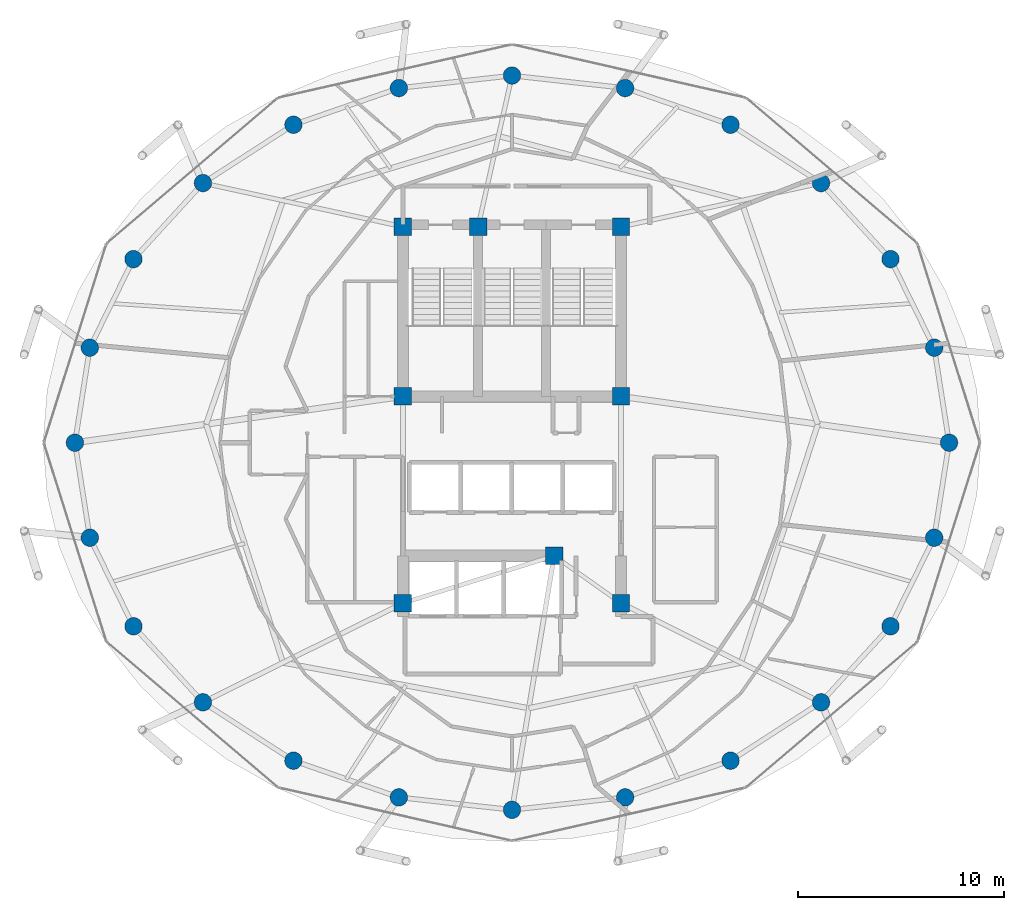
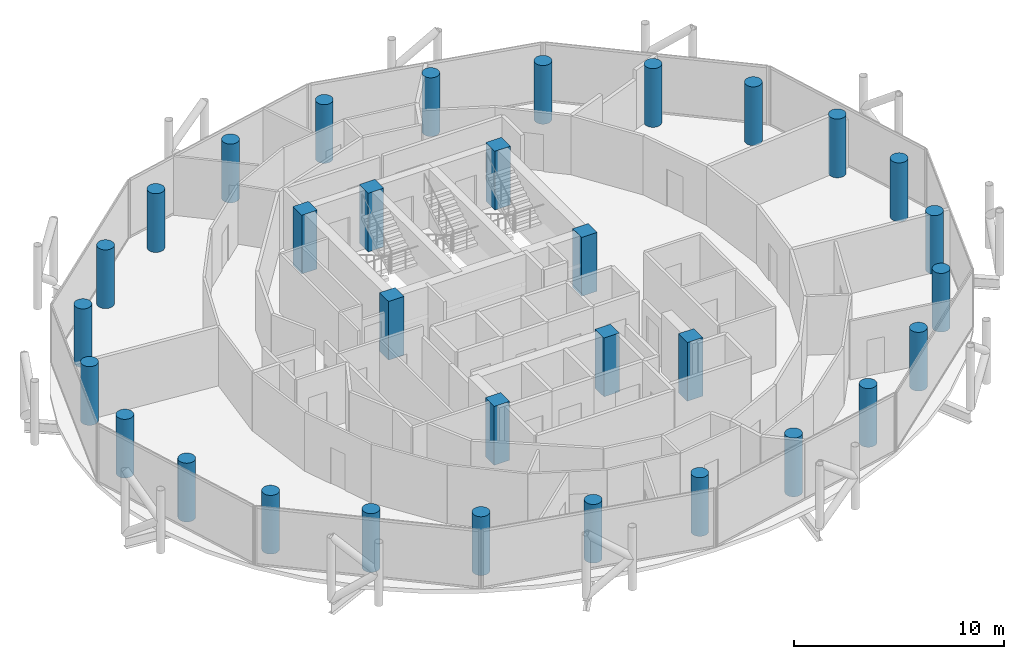
# One storey, part 1 of 27: 32 columns.
"""IFC4 building model written with IfcOpenShell, lengths in metres."""

from ifc_helpers import new_model, si_unit, direction, frame, origin, origin_2d, place, context, subcontext, project, spatial, rectangle, circle, extrude, material, material_profile, profile_set, type_object, element, save


model = new_model("IFC4")

# Units and contexts
model_context = context("Model", 3, precision=1e-05, world=origin(), true_north=direction((0.0, 1.0)))
body_context = subcontext(model_context, "Body", "Model", "MODEL_VIEW")
ifc_project = project(units=[si_unit("LENGTHUNIT", "METRE"), si_unit("AREAUNIT", "SQUARE_METRE"), si_unit("VOLUMEUNIT", "CUBIC_METRE"), si_unit("PLANEANGLEUNIT", "RADIAN"), si_unit("MASSUNIT", "GRAM", prefix="KILO")], contexts=[model_context])

# Site, building, storey
site_placement = place(None, origin())
site = spatial("IfcSite", under=ifc_project, at=site_placement, CompositionType="ELEMENT")
building_placement = place(site_placement, origin())
building = spatial("IfcBuilding", under=site, at=building_placement, Name="Nuhasar Tower", CompositionType="ELEMENT")
storey_placement = place(building_placement, frame((0.0, 0.0, 248.300048828125)))
storey = spatial("IfcBuildingStorey", under=building, at=storey_placement, Name="L61", CompositionType="ELEMENT", Elevation=248.300048828125)

# Columns
ifc_material = material(Name="Concrete C55/67", Category="concrete")
ifc_material_profile_1 = material_profile(ifc_material, circle(Radius=0.425048828125, at=origin_2d()), Name="CFT850")
ifc_profile_set_1 = profile_set([ifc_material_profile_1], Name="Concrete C55/67")
column_type_1 = type_object("IfcColumnType", Name="COL-CFT-850", PredefinedType="COLUMN", material=ifc_profile_set_1)
for number, where, z_axis, x_axis, name in (
    (1, (60.25, 26.800048828125, 0.0), (0.0, 0.0, 1.0), (1.0, 0.0, 0.0), "L61 Perimeter Composite Column TC-01"),
    (2, (59.52587890625, 31.419921875, 0.0), (0.0, 0.0, 1.0), (1.0, 0.0, 0.0), "L61 Perimeter Composite Column TC-02"),
    (3, (57.403076171875, 35.72509765625, 0.0), (0.0, 0.0, 1.0), (1.0, 0.0, 0.0), "L61 Perimeter Composite Column TC-03"),
    (4, (54.02587890625, 39.422119140625, 0.0), (0.0, 0.0, 1.0), (1.0, 0.0, 0.0), "L61 Perimeter Composite Column TC-04"),
    (5, (49.625, 42.259033203125, 0.0), (0.0, 0.0, 1.0), (1.0, 0.0, 0.0), "L61 Perimeter Composite Column TC-05"),
    (6, (44.5, 44.0419921875, 0.0), (0.0, 0.0, 1.0), (1.0, 0.0, 0.0), "L61 Perimeter Composite Column TC-06"),
    (7, (39.0, 44.64990234375, 0.0), (0.0, 0.0, 1.0), (1.0, 0.0, 0.0), "L61 Perimeter Composite Column TC-07"),
    (8, (33.5, 44.0419921875, 0.0), (0.0, 0.0, 1.0), (1.0, 0.0, 0.0), "L61 Perimeter Composite Column TC-08"),
    (9, (28.375, 42.259033203125, 0.0), (0.0, 0.0, 1.0), (1.0, 0.0, 0.0), "L61 Perimeter Composite Column TC-09"),
    (10, (23.97412109375, 39.422119140625, 0.0), (0.0, 0.0, 1.0), (1.0, 0.0, 0.0), "L61 Perimeter Composite Column TC-10"),
    (11, (20.596923828125, 35.72509765625, 0.0), (0.0, 0.0, 1.0), (1.0, 0.0, 0.0), "L61 Perimeter Composite Column TC-11"),
    (12, (18.47412109375, 31.419921875, 0.0), (0.0, 0.0, 1.0), (1.0, 0.0, 0.0), "L61 Perimeter Composite Column TC-12"),
    (13, (17.75, 26.800048828125, 0.0), (0.0, 0.0, 1.0), (1.0, 0.0, 0.0), "L61 Perimeter Composite Column TC-13"),
    (14, (18.47412109375, 22.179931640625, 0.0), (0.0, 0.0, 1.0), (1.0, 0.0, 0.0), "L61 Perimeter Composite Column TC-14"),
    (15, (20.596923828125, 17.875, 0.0), (0.0, 0.0, 1.0), (1.0, 0.0, 0.0), "L61 Perimeter Composite Column TC-15"),
    (16, (23.97412109375, 14.177978515625, 0.0), (0.0, 0.0, 1.0), (1.0, 0.0, 0.0), "L61 Perimeter Composite Column TC-16"),
    (17, (28.375, 11.341064453125, 0.0), (0.0, 0.0, 1.0), (1.0, 0.0, 0.0), "L61 Perimeter Composite Column TC-17"),
    (18, (33.5, 9.55810546875, 0.0), (0.0, 0.0, 1.0), (1.0, 0.0, 0.0), "L61 Perimeter Composite Column TC-18"),
    (19, (39.0, 8.949951171875, 0.0), (0.0, 0.0, 1.0), (1.0, 0.0, 0.0), "L61 Perimeter Composite Column TC-19"),
    (20, (44.5, 9.55810546875, 0.0), (0.0, 0.0, 1.0), (1.0, 0.0, 0.0), "L61 Perimeter Composite Column TC-20"),
    (21, (49.625, 11.341064453125, 0.0), (0.0, 0.0, 1.0), (1.0, 0.0, 0.0), "L61 Perimeter Composite Column TC-21"),
    (22, (54.02587890625, 14.177978515625, 0.0), (0.0, 0.0, 1.0), (1.0, 0.0, 0.0), "L61 Perimeter Composite Column TC-22"),
    (23, (57.403076171875, 17.875, 0.0), (0.0, 0.0, 1.0), (1.0, 0.0, 0.0), "L61 Perimeter Composite Column TC-23"),
    (24, (59.52587890625, 22.179931640625, 0.0), (0.0, 0.0, 1.0), (1.0, 0.0, 0.0), "L61 Perimeter Composite Column TC-24"),
):
    element("IfcColumn", number, at=place(storey_placement, frame(where, z_axis=z_axis, x_axis=x_axis)), inside=storey, type_object=column_type_1, Name=name, PredefinedType="COLUMN", context=body_context, shape_type="SweptSolid", body=[
        extrude(circle(Radius=0.425048828125, at=origin_2d()), origin(), (0.0, 0.0, 1.0), 3.409912109375),
    ])
ifc_material_profile_2 = material_profile(ifc_material, rectangle(XDim=0.85009765625, YDim=0.85009765625, at=origin_2d()), Name="RC850X850")
ifc_profile_set_2 = profile_set([ifc_material_profile_2], Name="Concrete C55/67")
column_type_2 = type_object("IfcColumnType", Name="PIL-RC-850", PredefinedType="PILASTER", material=ifc_profile_set_2)
for number, where, z_axis, x_axis, name in (
    (25, (33.699951171875, 19.0, 0.0), (0.0, 0.0, 1.0), (1.0, 0.0, 0.0), "L61 Core Boundary Pilaster CC-01"),
    (26, (41.050048828125, 21.300048828125, 0.0), (0.0, 0.0, 1.0), (1.0, 0.0, 0.0), "L61 Core Boundary Pilaster CC-02"),
    (27, (44.300048828125, 19.0, 0.0), (0.0, 0.0, 1.0), (1.0, 0.0, 0.0), "L61 Core Boundary Pilaster CC-03"),
    (28, (44.300048828125, 29.050048828125, 0.0), (0.0, 0.0, 1.0), (1.0, 0.0, 0.0), "L61 Core Boundary Pilaster CC-04"),
    (29, (44.300048828125, 37.300048828125, 0.0), (0.0, 0.0, 1.0), (1.0, 0.0, 0.0), "L61 Core Boundary Pilaster CC-05"),
    (30, (37.35009765625, 37.300048828125, 0.0), (0.0, 0.0, 1.0), (1.0, 0.0, 0.0), "L61 Core Boundary Pilaster CC-06"),
    (31, (33.699951171875, 37.300048828125, 0.0), (0.0, 0.0, 1.0), (1.0, 0.0, 0.0), "L61 Core Boundary Pilaster CC-07"),
    (32, (33.699951171875, 29.050048828125, 0.0), (0.0, 0.0, 1.0), (1.0, 0.0, 0.0), "L61 Core Boundary Pilaster CC-08"),
):
    element("IfcColumn", number, at=place(storey_placement, frame(where, z_axis=z_axis, x_axis=x_axis)), inside=storey, type_object=column_type_2, Name=name, PredefinedType="PILASTER", context=body_context, shape_type="SweptSolid", body=[
        extrude(rectangle(XDim=0.85009765625, YDim=0.85009765625, at=origin_2d()), origin(), (0.0, 0.0, 1.0), 3.409912109375),
    ])

save(model, "model.ifc")
